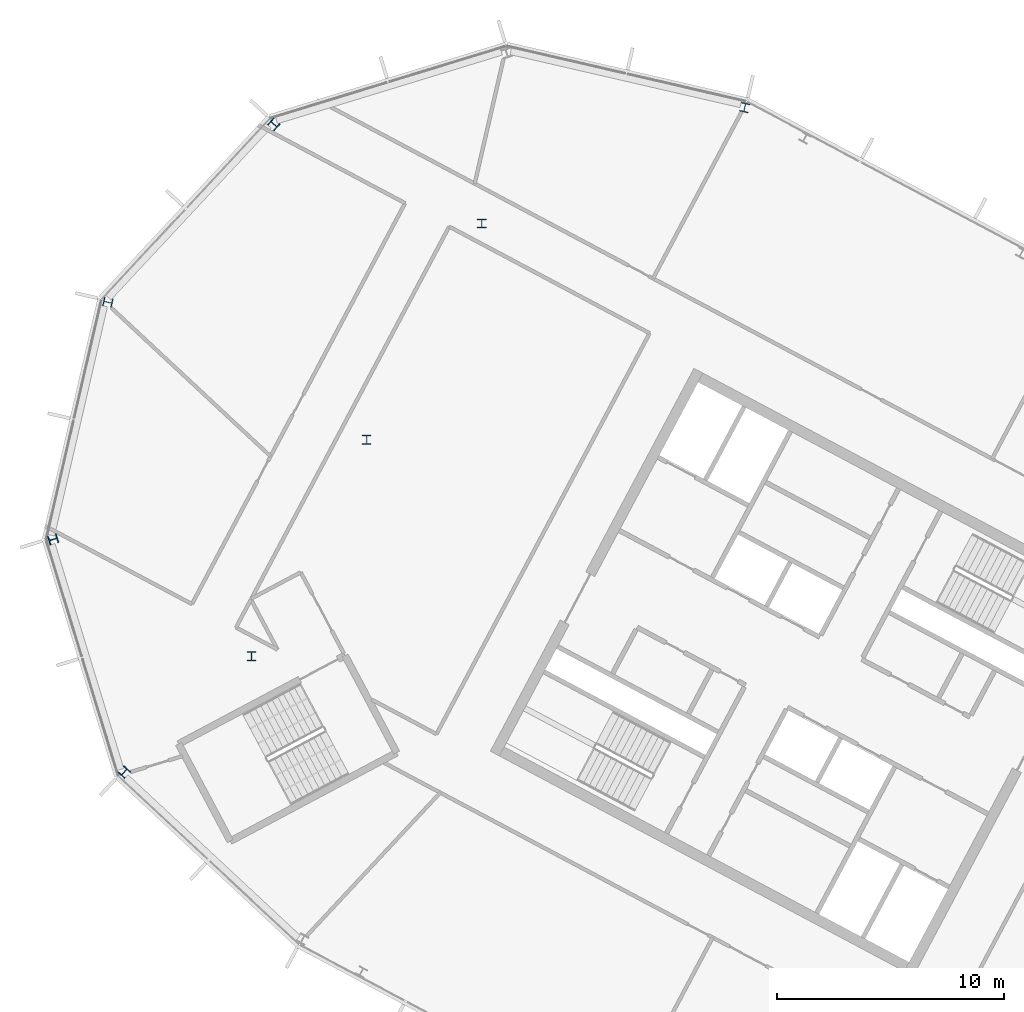
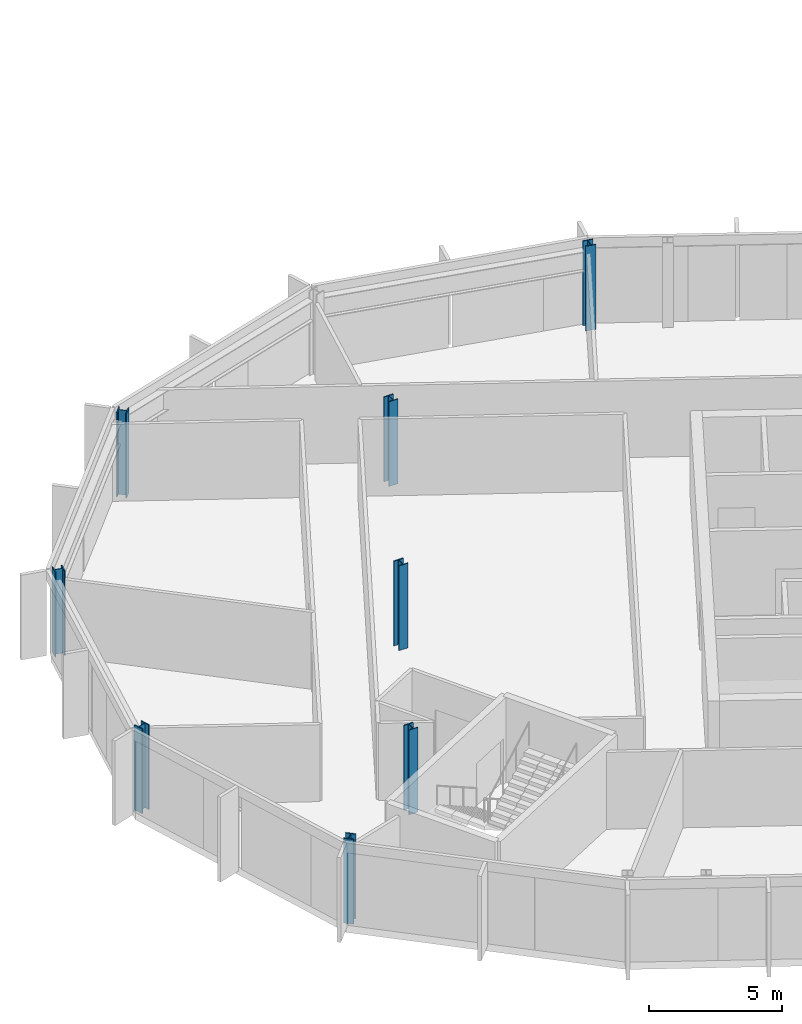
# One storey, part 3 of 25: 8 columns.
"""IFC4 building model written with IfcOpenShell, lengths in metres."""

from ifc_helpers import new_model, si_unit, direction, frame, origin, origin_2d, place, context, subcontext, project, spatial, i_section, extrude, material, material_profile, profile_set, type_object, element, save


model = new_model("IFC4")

# Units and contexts
model_context = context("Model", 3, precision=1e-05, world=origin(), true_north=direction((0.0, 1.0)))
body_context = subcontext(model_context, "Body", "Model", "MODEL_VIEW")
ifc_project = project(units=[si_unit("LENGTHUNIT", "METRE"), si_unit("AREAUNIT", "SQUARE_METRE"), si_unit("VOLUMEUNIT", "CUBIC_METRE"), si_unit("PLANEANGLEUNIT", "RADIAN"), si_unit("MASSUNIT", "GRAM", prefix="KILO")], contexts=[model_context])

# Site, building, storey
site_placement = place(None, origin())
site = spatial("IfcSite", under=ifc_project, at=site_placement, CompositionType="ELEMENT")
building_placement = place(site_placement, origin())
building = spatial("IfcBuilding", under=site, at=building_placement, Name="Cormorant Relay Tower", CompositionType="ELEMENT")
storey_placement = place(building_placement, frame((0.0, 0.0, 281.39990234375)))
storey = spatial("IfcBuildingStorey", under=building, at=storey_placement, Name="L63", CompositionType="ELEMENT", Elevation=281.39990234375)

# Columns
ifc_material = material(Name="Steel ASTM A992 (Fy 345 MPa)", Category="steel")
ifc_material_profile = material_profile(ifc_material, i_section(OverallWidth=0.40380859375, OverallDepth=0.406494140625, WebThickness=0.027099609375, FlangeThickness=0.043701171875, FilletRadius=0.01513671875, at=origin_2d()), Name="W360x347")
ifc_profile_set = profile_set([ifc_material_profile], Name="Steel ASTM A992 (Fy 345 MPa)")
column_type = type_object("IfcColumnType", Name="Column W360x347", PredefinedType="COLUMN", material=ifc_profile_set)
for number, where, z_axis, x_axis, name in (
    (1, (-57.2958984375, 10.152099609375, 0.0), (0.0, 0.0, 1.0), (0.731353701619, -0.681998360062, 0.0), "Column L63-022"),
    (2, (-51.68994140625, 15.251953125, 0.0), (0.0, 0.0, 1.0), (1.0, 0.0, 0.0), "Column L63-026"),
    (3, (-60.429931640625, 20.403076171875, 0.0), (0.0, 0.0, 1.0), (0.292371704723, -0.956304755963, 0.0), "Column L63-028"),
    (4, (-46.6201171875, 24.7880859375, 0.0), (0.0, 0.0, 1.0), (1.0, 0.0, 0.0), "Column L63-030"),
    (5, (-58.01806640625, 30.84912109375, 0.0), (0.0, 0.0, 1.0), (-0.224951054344, -0.974370064785, 0.0), "Column L63-034"),
    (6, (-41.549072265625, 34.323974609375, 0.0), (0.0, 0.0, 1.0), (1.0, 0.0, 0.0), "Column L63-037"),
    (7, (-50.70703125, 38.68896484375, 0.0), (0.0, 0.0, 1.0), (-0.681998360062, -0.731353701619, 0.0), "Column L63-041"),
    (8, (-29.965087890625, 39.425048828125, 0.0), (0.0, 0.0, 1.0), (-0.974370064785, 0.224951054344, 0.0), "Column L63-042"),
):
    element("IfcColumn", number, at=place(storey_placement, frame(where, z_axis=z_axis, x_axis=x_axis)), inside=storey, type_object=column_type, Name=name, PredefinedType="COLUMN", context=body_context, shape_type="SweptSolid", body=[
        extrude(i_section(OverallWidth=0.40380859375, OverallDepth=0.406494140625, WebThickness=0.027099609375, FlangeThickness=0.043701171875, FilletRadius=0.01513671875, at=origin_2d()), origin(), (0.0, 0.0, 1.0), 3.900146484375),
    ])

save(model, "model.ifc")
